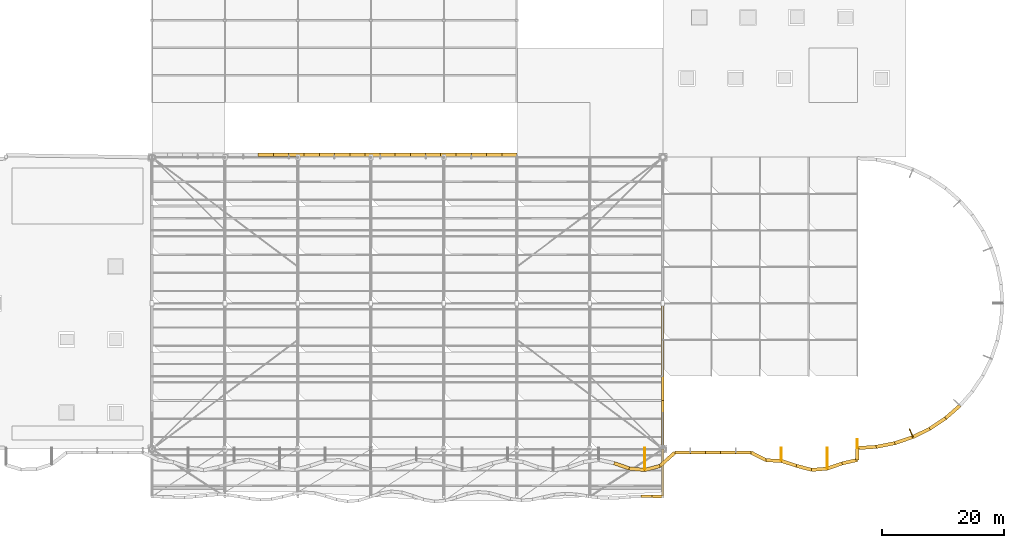
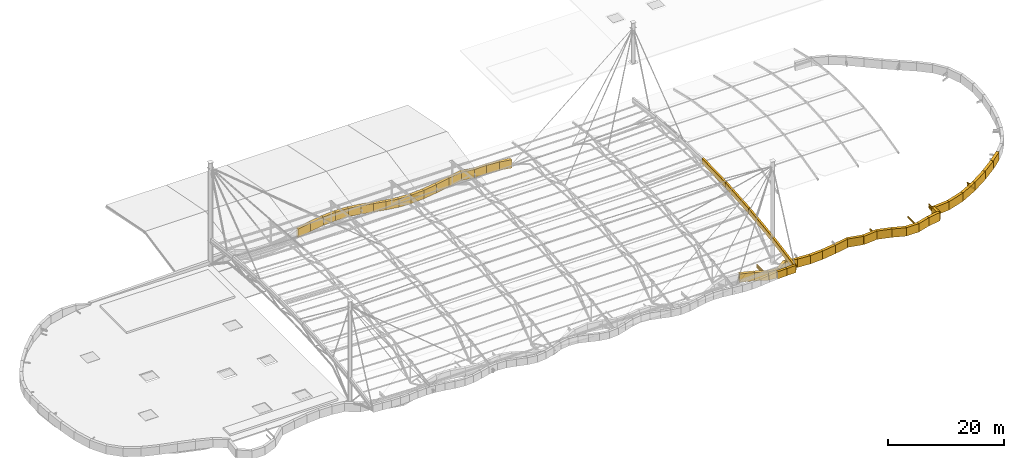
# One storey, part 26 of 29: 54 coverings.
"""IFC4 building model written with IfcOpenShell, lengths in metres."""

from ifc_helpers import new_model, si_unit, direction, frame, frame_2d, origin, place, context, subcontext, project, spatial, polyline, rectangle, outline, extrude, material, layer, layer_set, type_object, element, save


model = new_model("IFC4")

# Units and contexts
model_context = context("Model", 3, precision=1e-05, world=origin(), true_north=direction((0.0, 1.0)))
body_context = subcontext(model_context, "Body", "Model", "MODEL_VIEW")
ifc_project = project(units=[si_unit("LENGTHUNIT", "METRE"), si_unit("AREAUNIT", "SQUARE_METRE"), si_unit("VOLUMEUNIT", "CUBIC_METRE"), si_unit("PLANEANGLEUNIT", "RADIAN"), si_unit("MASSUNIT", "GRAM", prefix="KILO")], contexts=[model_context])

# Site, building, storey
site_placement = place(None, origin())
site = spatial("IfcSite", under=ifc_project, at=site_placement, CompositionType="ELEMENT")
building_placement = place(site_placement, origin())
building = spatial("IfcBuilding", under=site, at=building_placement, Name="Keelwater Ferry Terminal", CompositionType="ELEMENT")
storey_placement = place(building_placement, frame((0.0, 0.0, 27.89990234375)))
storey = spatial("IfcBuildingStorey", under=building, at=storey_placement, Name="RF", CompositionType="ELEMENT", Elevation=27.89990234375)

# Coverings
ifc_material = material(Name="Matte white architectural aluminium fascia ribbon", Category="aluminium")
ifc_layer = layer(ifc_material, 0.1201171875)
ifc_layer_set = layer_set([ifc_layer], Name="Matte white architectural aluminium fascia ribbon")
covering_type = type_object("IfcCoveringType", Name="RB-WHT Matte White Fascia Ribbon", PredefinedType="CLADDING", material=ifc_layer_set)
covering_1_placement = place(storey_placement, frame((108.02490234375, 90.419921875, -13.910888671875), z_axis=(0.0, 0.0, 1.0), x_axis=(-1.0, 0.0, 0.0)))
element("IfcCovering", 1, at=covering_1_placement, inside=storey, type_object=covering_type, Name="Overhanging Roof-Edge Wave Fascia Ribbon 4", PredefinedType="CLADDING", context=body_context, shape_type="SweptSolid", body=[
    extrude(outline(polyline([(0.0, 0.0), (2.5498046875, 0.385009765625), (2.5498046875, 2.135009765625), (0.0, 1.75), (0.0, 0.0)])), frame((0.0, 0.280029296875, 0.0), z_axis=(0.0, -1.0, 0.0), x_axis=(1.0, 0.0, 0.0)), (0.0, 0.0, 1.0), 0.56005859375),
])
covering_2_placement = place(storey_placement, frame((105.52490234375, 90.419921875, -13.52587890625), z_axis=(0.0, 0.0, 1.0), x_axis=(-1.0, 0.0, 0.0)))
element("IfcCovering", 2, at=covering_2_placement, inside=storey, type_object=covering_type, Name="Overhanging Roof-Edge Wave Fascia Ribbon 15", PredefinedType="CLADDING", context=body_context, shape_type="SweptSolid", body=[
    extrude(outline(polyline([(0.0, 0.0), (2.5498046875, 0.199951171875), (2.5498046875, 1.949951171875), (0.0, 1.75), (0.0, 0.0)])), frame((0.0, 0.280029296875, 0.0), z_axis=(0.0, -1.0, 0.0), x_axis=(1.0, 0.0, 0.0)), (0.0, 0.0, 1.0), 0.56005859375),
])
covering_3_placement = place(storey_placement, frame((103.02490234375, 90.419921875, -13.368896484375), z_axis=(0.0, 0.0, 1.0), x_axis=(-1.0, 0.0, 0.0)))
element("IfcCovering", 3, at=covering_3_placement, inside=storey, type_object=covering_type, Name="Overhanging Roof-Edge Wave Fascia Ribbon 19", PredefinedType="CLADDING", context=body_context, shape_type="SweptSolid", body=[
    extrude(outline(polyline([(0.0, 0.04296875), (2.5498046875, 0.0), (2.5498046875, 1.75), (0.0, 1.79296875), (0.0, 0.04296875)])), frame((0.0, 0.280029296875, 0.0), z_axis=(0.0, -1.0, 0.0), x_axis=(1.0, 0.0, 0.0)), (0.0, 0.0, 1.0), 0.56005859375),
])
covering_4_placement = place(storey_placement, frame((100.52490234375, 90.419921875, -13.368896484375), z_axis=(0.0, 0.0, 1.0), x_axis=(-1.0, 0.0, 0.0)))
element("IfcCovering", 4, at=covering_4_placement, inside=storey, type_object=covering_type, Name="Overhanging Roof-Edge Wave Fascia Ribbon 23", PredefinedType="CLADDING", context=body_context, shape_type="SweptSolid", body=[
    extrude(outline(polyline([(0.0, 0.0), (2.5498046875, 0.364990234375), (2.5498046875, 2.114990234375), (0.0, 1.75), (0.0, 0.0)])), frame((0.0, 0.280029296875, 0.0), z_axis=(0.0, -1.0, 0.0), x_axis=(1.0, 0.0, 0.0)), (0.0, 0.0, 1.0), 0.56005859375),
])
covering_5_placement = place(storey_placement, frame((98.02490234375, 90.419921875, -13.427978515625), z_axis=(0.0, 0.0, 1.0), x_axis=(-1.0, 0.0, 0.0)))
element("IfcCovering", 5, at=covering_5_placement, inside=storey, type_object=covering_type, Name="Overhanging Roof-Edge Wave Fascia Ribbon 34", PredefinedType="CLADDING", context=body_context, shape_type="SweptSolid", body=[
    extrude(outline(polyline([(0.0, 0.424072265625), (2.5498046875, 0.0), (2.5498046875, 1.75), (0.0, 2.174072265625), (0.0, 0.424072265625)])), frame((0.0, 0.280029296875, 0.0), z_axis=(0.0, -1.0, 0.0), x_axis=(1.0, 0.0, 0.0)), (0.0, 0.0, 1.0), 0.56005859375),
])
covering_6_placement = place(storey_placement, frame((95.52490234375, 90.419921875, -13.8798828125), z_axis=(0.0, 0.0, 1.0), x_axis=(-1.0, 0.0, 0.0)))
element("IfcCovering", 6, at=covering_6_placement, inside=storey, type_object=covering_type, Name="Overhanging Roof-Edge Wave Fascia Ribbon 38", PredefinedType="CLADDING", context=body_context, shape_type="SweptSolid", body=[
    extrude(outline(polyline([(0.0, 0.451904296875), (2.5498046875, 0.0), (2.5498046875, 1.75), (0.0, 2.201904296875), (0.0, 0.451904296875)])), frame((0.0, 0.280029296875, 0.0), z_axis=(0.0, -1.0, 0.0), x_axis=(1.0, 0.0, 0.0)), (0.0, 0.0, 1.0), 0.56005859375),
])
covering_7_placement = place(storey_placement, frame((93.02490234375, 90.419921875, -14.22900390625), z_axis=(0.0, 0.0, 1.0), x_axis=(-1.0, 0.0, 0.0)))
element("IfcCovering", 7, at=covering_7_placement, inside=storey, type_object=covering_type, Name="Overhanging Roof-Edge Wave Fascia Ribbon 42", PredefinedType="CLADDING", context=body_context, shape_type="SweptSolid", body=[
    extrude(outline(polyline([(0.0, 0.34912109375), (2.5498046875, 0.0), (2.5498046875, 1.75), (0.0, 2.09912109375), (0.0, 0.34912109375)])), frame((0.0, 0.280029296875, 0.0), z_axis=(0.0, -1.0, 0.0), x_axis=(1.0, 0.0, 0.0)), (0.0, 0.0, 1.0), 0.56005859375),
])
covering_8_placement = place(storey_placement, frame((90.52490234375, 90.419921875, -14.3740234375), z_axis=(0.0, 0.0, 1.0), x_axis=(-1.0, 0.0, 0.0)))
element("IfcCovering", 8, at=covering_8_placement, inside=storey, type_object=covering_type, Name="Overhanging Roof-Edge Wave Fascia Ribbon 53", PredefinedType="CLADDING", context=body_context, shape_type="SweptSolid", body=[
    extrude(outline(polyline([(0.0, 0.14501953125), (2.5498046875, 0.0), (2.5498046875, 1.75), (0.0, 1.89501953125), (0.0, 0.14501953125)])), frame((0.0, 0.280029296875, 0.0), z_axis=(0.0, -1.0, 0.0), x_axis=(1.0, 0.0, 0.0)), (0.0, 0.0, 1.0), 0.56005859375),
])
covering_9_placement = place(storey_placement, frame((88.02490234375, 90.419921875, -14.3740234375), z_axis=(0.0, 0.0, 1.0), x_axis=(-1.0, 0.0, 0.0)))
element("IfcCovering", 9, at=covering_9_placement, inside=storey, type_object=covering_type, Name="Overhanging Roof-Edge Wave Fascia Ribbon 57", PredefinedType="CLADDING", context=body_context, shape_type="SweptSolid", body=[
    extrude(outline(polyline([(0.0, 0.0), (2.5498046875, 0.10205078125), (2.5498046875, 1.85205078125), (0.0, 1.75), (0.0, 0.0)])), frame((0.0, 0.280029296875, 0.0), z_axis=(0.0, -1.0, 0.0), x_axis=(1.0, 0.0, 0.0)), (0.0, 0.0, 1.0), 0.56005859375),
])
covering_10_placement = place(storey_placement, frame((85.52490234375, 90.419921875, -14.27197265625), z_axis=(0.0, 0.0, 1.0), x_axis=(-1.0, 0.0, 0.0)))
element("IfcCovering", 10, at=covering_10_placement, inside=storey, type_object=covering_type, Name="Overhanging Roof-Edge Wave Fascia Ribbon 61", PredefinedType="CLADDING", context=body_context, shape_type="SweptSolid", body=[
    extrude(outline(polyline([(0.0, 0.0), (2.5498046875, 0.318115234375), (2.5498046875, 2.068115234375), (0.0, 1.75), (0.0, 0.0)])), frame((0.0, 0.280029296875, 0.0), z_axis=(0.0, -1.0, 0.0), x_axis=(1.0, 0.0, 0.0)), (0.0, 0.0, 1.0), 0.56005859375),
])
covering_11_placement = place(storey_placement, frame((83.02490234375, 90.419921875, -13.953857421875), z_axis=(0.0, 0.0, 1.0), x_axis=(-1.0, 0.0, 0.0)))
element("IfcCovering", 11, at=covering_11_placement, inside=storey, type_object=covering_type, Name="Overhanging Roof-Edge Wave Fascia Ribbon 73", PredefinedType="CLADDING", context=body_context, shape_type="SweptSolid", body=[
    extrude(outline(polyline([(0.0, 0.0), (2.5498046875, 0.44287109375), (2.5498046875, 2.19287109375), (0.0, 1.75), (0.0, 0.0)])), frame((0.0, 0.280029296875, 0.0), z_axis=(0.0, -1.0, 0.0), x_axis=(1.0, 0.0, 0.0)), (0.0, 0.0, 1.0), 0.56005859375),
])
covering_12_placement = place(storey_placement, frame((80.52490234375, 90.419921875, -13.510986328125), z_axis=(0.0, 0.0, 1.0), x_axis=(-1.0, 0.0, 0.0)))
element("IfcCovering", 12, at=covering_12_placement, inside=storey, type_object=covering_type, Name="Overhanging Roof-Edge Wave Fascia Ribbon 76", PredefinedType="CLADDING", context=body_context, shape_type="SweptSolid", body=[
    extrude(outline(polyline([(0.0, 0.0), (2.5498046875, 0.43896484375), (2.5498046875, 2.18896484375), (0.0, 1.75), (0.0, 0.0)])), frame((0.0, 0.280029296875, 0.0), z_axis=(0.0, -1.0, 0.0), x_axis=(1.0, 0.0, 0.0)), (0.0, 0.0, 1.0), 0.56005859375),
])
covering_13_placement = place(storey_placement, frame((78.02490234375, 90.419921875, -13.072021484375), z_axis=(0.0, 0.0, 1.0), x_axis=(-1.0, 0.0, 0.0)))
element("IfcCovering", 13, at=covering_13_placement, inside=storey, type_object=covering_type, Name="Overhanging Roof-Edge Wave Fascia Ribbon 79", PredefinedType="CLADDING", context=body_context, shape_type="SweptSolid", body=[
    extrude(outline(polyline([(0.0, 0.0), (2.5498046875, 0.30712890625), (2.5498046875, 2.05712890625), (0.0, 1.75), (0.0, 0.0)])), frame((0.0, 0.280029296875, 0.0), z_axis=(0.0, -1.0, 0.0), x_axis=(1.0, 0.0, 0.0)), (0.0, 0.0, 1.0), 0.56005859375),
])
covering_14_placement = place(storey_placement, frame((75.52490234375, 90.419921875, -12.764892578125), z_axis=(0.0, 0.0, 1.0), x_axis=(-1.0, 0.0, 0.0)))
element("IfcCovering", 14, at=covering_14_placement, inside=storey, type_object=covering_type, Name="Overhanging Roof-Edge Wave Fascia Ribbon 91", PredefinedType="CLADDING", context=body_context, shape_type="SweptSolid", body=[
    extrude(outline(polyline([(0.0, 0.0), (2.5498046875, 0.0869140625), (2.5498046875, 1.8369140625), (0.0, 1.75), (0.0, 0.0)])), frame((0.0, 0.280029296875, 0.0), z_axis=(0.0, -1.0, 0.0), x_axis=(1.0, 0.0, 0.0)), (0.0, 0.0, 1.0), 0.56005859375),
])
covering_15_placement = place(storey_placement, frame((73.02490234375, 90.419921875, -12.8369140625), z_axis=(0.0, 0.0, 1.0), x_axis=(-1.0, 0.0, 0.0)))
element("IfcCovering", 15, at=covering_15_placement, inside=storey, type_object=covering_type, Name="Overhanging Roof-Edge Wave Fascia Ribbon 95", PredefinedType="CLADDING", context=body_context, shape_type="SweptSolid", body=[
    extrude(outline(polyline([(0.0, 0.158935546875), (2.5498046875, 0.0), (2.5498046875, 1.75), (0.0, 1.908935546875), (0.0, 0.158935546875)])), frame((0.0, 0.280029296875, 0.0), z_axis=(0.0, -1.0, 0.0), x_axis=(1.0, 0.0, 0.0)), (0.0, 0.0, 1.0), 0.56005859375),
])
covering_16_placement = place(storey_placement, frame((70.52490234375, 90.419921875, -13.19482421875), z_axis=(0.0, 0.0, 1.0), x_axis=(-1.0, 0.0, 0.0)))
element("IfcCovering", 16, at=covering_16_placement, inside=storey, type_object=covering_type, Name="Overhanging Roof-Edge Wave Fascia Ribbon 99", PredefinedType="CLADDING", context=body_context, shape_type="SweptSolid", body=[
    extrude(outline(polyline([(0.0, 0.35791015625), (2.5498046875, 0.0), (2.5498046875, 1.75), (0.0, 2.10791015625), (0.0, 0.35791015625)])), frame((0.0, 0.280029296875, 0.0), z_axis=(0.0, -1.0, 0.0), x_axis=(1.0, 0.0, 0.0)), (0.0, 0.0, 1.0), 0.56005859375),
])
covering_17_placement = place(storey_placement, frame((68.02490234375, 90.419921875, -13.64990234375), z_axis=(0.0, 0.0, 1.0), x_axis=(-1.0, 0.0, 0.0)))
element("IfcCovering", 17, at=covering_17_placement, inside=storey, type_object=covering_type, Name="Overhanging Roof-Edge Wave Fascia Ribbon 110", PredefinedType="CLADDING", context=body_context, shape_type="SweptSolid", body=[
    extrude(outline(polyline([(0.0, 0.455078125), (2.5498046875, 0.0), (2.5498046875, 1.75), (0.0, 2.205078125), (0.0, 0.455078125)])), frame((0.0, 0.280029296875, 0.0), z_axis=(0.0, -1.0, 0.0), x_axis=(1.0, 0.0, 0.0)), (0.0, 0.0, 1.0), 0.56005859375),
])
covering_18_placement = place(storey_placement, frame((123.97607421875, 39.698974609375, -12.77880859375), z_axis=(0.0, 0.0, 1.0), x_axis=(0.945110901935, -0.326749725391, 0.0)))
element("IfcCovering", 18, at=covering_18_placement, inside=storey, type_object=covering_type, Name="Overhanging Roof-Edge Wave Fascia Ribbon 537", PredefinedType="CLADDING", context=body_context, shape_type="SweptSolid", body=[
    extrude(outline(polyline([(0.0, 0.031005859375), (2.69580078125, 0.0), (2.69580078125, 1.75), (0.0, 1.781005859375), (0.0, 0.031005859375)])), frame((0.0, 0.280029296875, 0.0), z_axis=(0.0, -1.0, 0.0), x_axis=(1.0, 0.0, 0.0)), (0.0, 0.0, 1.0), 0.56005859375),
])
covering_19_placement = place(storey_placement, frame((126.47509765625, 38.827880859375, -13.39892578125), z_axis=(0.0, 0.0, 1.0), x_axis=(0.995190712751, -0.097956343614, 0.0)))
element("IfcCovering", 19, at=covering_19_placement, inside=storey, type_object=covering_type, Name="Overhanging Roof-Edge Wave Fascia Ribbon 541", PredefinedType="CLADDING", context=body_context, shape_type="SweptSolid", body=[
    extrude(outline(polyline([(0.0, 0.6201171875), (2.56201171875, 0.0), (2.56201171875, 1.75), (0.0, 2.3701171875), (0.0, 0.6201171875)])), frame((0.0, 0.280029296875, 0.0), z_axis=(0.0, -1.0, 0.0), x_axis=(1.0, 0.0, 0.0)), (0.0, 0.0, 1.0), 0.56005859375),
])
covering_20_placement = place(storey_placement, frame((128.97607421875, 38.572998046875, -14.114013671875), z_axis=(0.0, 0.0, 1.0), x_axis=(0.969062454422, 0.246815638545, 0.0)))
element("IfcCovering", 20, at=covering_20_placement, inside=storey, type_object=covering_type, Name="Overhanging Roof-Edge Wave Fascia Ribbon 545", PredefinedType="CLADDING", context=body_context, shape_type="SweptSolid", body=[
    extrude(outline(polyline([(0.0, 0.715087890625), (2.629150390625, 0.0), (2.629150390625, 1.75), (0.0, 2.465087890625), (0.0, 0.715087890625)])), frame((0.0, 0.280029296875, 0.0), z_axis=(0.0, -1.0, 0.0), x_axis=(1.0, 0.0, 0.0)), (0.0, 0.0, 1.0), 0.56005859375),
])
covering_21_placement = place(storey_placement, frame((129.0, 38.5791015625, -12.663818359375), z_axis=(0.0, 0.0, 1.0), x_axis=(0.0, 1.0, 0.0)))
element("IfcCovering", 21, at=covering_21_placement, inside=storey, type_object=covering_type, Name="Ribbon Horizontal Tie Bracket 549", PredefinedType="CLADDING", context=body_context, shape_type="SweptSolid", body=[
    extrude(rectangle(XDim=3.6708984375, YDim=0.159912109375, at=frame_2d((1.83544921875, 0.0))), origin(), (0.0, 0.0, 1.0), 0.280029296875),
])
covering_22_placement = place(storey_placement, frame((129.0, 38.5791015625, -13.119873046875), z_axis=(0.0, 0.0, 1.0), x_axis=(0.0, 1.0, 0.0)))
element("IfcCovering", 22, at=covering_22_placement, inside=storey, type_object=covering_type, Name="Ribbon Roof Eave Tie Bracket 552", PredefinedType="CLADDING", context=body_context, shape_type="SweptSolid", body=[
    extrude(rectangle(XDim=3.6708984375, YDim=0.159912109375, at=frame_2d((1.83544921875, 0.0))), origin(), (0.0, 0.0, 1.0), 0.340087890625),
])
covering_23_placement = place(storey_placement, frame((131.48095703125, 39.198974609375, -14.73095703125), z_axis=(0.0, 0.0, 1.0), x_axis=(0.745657617086, 0.666329286526, 0.0)))
element("IfcCovering", 23, at=covering_23_placement, inside=storey, type_object=covering_type, Name="Overhanging Roof-Edge Wave Fascia Ribbon 555", PredefinedType="CLADDING", context=body_context, shape_type="SweptSolid", body=[
    extrude(outline(polyline([(0.0, 0.616943359375), (3.40380859375, 0.0), (3.40380859375, 1.75), (0.0, 2.366943359375), (0.0, 0.616943359375)])), frame((0.0, 0.280029296875, 0.0), z_axis=(0.0, -1.0, 0.0), x_axis=(1.0, 0.0, 0.0)), (0.0, 0.0, 1.0), 0.56005859375),
])
covering_24_placement = place(storey_placement, frame((133.97509765625, 41.449951171875, -15.079833984375), z_axis=(0.0, 0.0, 1.0), x_axis=(1.0, 0.0, 0.0)))
element("IfcCovering", 24, at=covering_24_placement, inside=storey, type_object=covering_type, Name="Overhanging Roof-Edge Wave Fascia Ribbon 557", PredefinedType="CLADDING", context=body_context, shape_type="SweptSolid", body=[
    extrude(outline(polyline([(0.0, 0.348876953125), (2.5498046875, 0.0), (2.5498046875, 1.75), (0.0, 2.098876953125), (0.0, 0.348876953125)])), frame((0.0, 0.280029296875, 0.0), z_axis=(0.0, -1.0, 0.0), x_axis=(1.0, 0.0, 0.0)), (0.0, 0.0, 1.0), 0.56005859375),
])
covering_25_placement = place(storey_placement, frame((136.47509765625, 41.449951171875, -15.223876953125), z_axis=(0.0, 0.0, 1.0), x_axis=(1.0, 0.0, 0.0)))
element("IfcCovering", 25, at=covering_25_placement, inside=storey, type_object=covering_type, Name="Overhanging Roof-Edge Wave Fascia Ribbon 559", PredefinedType="CLADDING", context=body_context, shape_type="SweptSolid", body=[
    extrude(outline(polyline([(0.0, 0.14404296875), (2.5498046875, 0.0), (2.5498046875, 1.75), (0.0, 1.89404296875), (0.0, 0.14404296875)])), frame((0.0, 0.280029296875, 0.0), z_axis=(0.0, -1.0, 0.0), x_axis=(1.0, 0.0, 0.0)), (0.0, 0.0, 1.0), 0.56005859375),
])
covering_26_placement = place(storey_placement, frame((138.97509765625, 41.449951171875, -15.223876953125), z_axis=(0.0, 0.0, 1.0), x_axis=(1.0, 0.0, 0.0)))
element("IfcCovering", 26, at=covering_26_placement, inside=storey, type_object=covering_type, Name="Overhanging Roof-Edge Wave Fascia Ribbon 566", PredefinedType="CLADDING", context=body_context, shape_type="SweptSolid", body=[
    extrude(outline(polyline([(0.0, 0.0), (2.5498046875, 0.10205078125), (2.5498046875, 1.85205078125), (0.0, 1.75), (0.0, 0.0)])), frame((0.0, 0.280029296875, 0.0), z_axis=(0.0, -1.0, 0.0), x_axis=(1.0, 0.0, 0.0)), (0.0, 0.0, 1.0), 0.56005859375),
])
covering_27_placement = place(storey_placement, frame((141.47509765625, 41.449951171875, -15.121826171875), z_axis=(0.0, 0.0, 1.0), x_axis=(1.0, 0.0, 0.0)))
element("IfcCovering", 27, at=covering_27_placement, inside=storey, type_object=covering_type, Name="Overhanging Roof-Edge Wave Fascia Ribbon 568", PredefinedType="CLADDING", context=body_context, shape_type="SweptSolid", body=[
    extrude(outline(polyline([(0.0, 0.0), (2.5498046875, 0.31884765625), (2.5498046875, 2.06884765625), (0.0, 1.75), (0.0, 0.0)])), frame((0.0, 0.280029296875, 0.0), z_axis=(0.0, -1.0, 0.0), x_axis=(1.0, 0.0, 0.0)), (0.0, 0.0, 1.0), 0.56005859375),
])
covering_28_placement = place(storey_placement, frame((143.97509765625, 41.449951171875, -14.802978515625), z_axis=(0.0, 0.0, 1.0), x_axis=(1.0, 0.0, 0.0)))
element("IfcCovering", 28, at=covering_28_placement, inside=storey, type_object=covering_type, Name="Overhanging Roof-Edge Wave Fascia Ribbon 570", PredefinedType="CLADDING", context=body_context, shape_type="SweptSolid", body=[
    extrude(outline(polyline([(0.0, 0.0), (2.5498046875, 0.443115234375), (2.5498046875, 2.193115234375), (0.0, 1.75), (0.0, 0.0)])), frame((0.0, 0.280029296875, 0.0), z_axis=(0.0, -1.0, 0.0), x_axis=(1.0, 0.0, 0.0)), (0.0, 0.0, 1.0), 0.56005859375),
])
covering_29_placement = place(storey_placement, frame((146.47802734375, 41.4609375, -14.35986328125), z_axis=(0.0, 0.0, 1.0), x_axis=(0.89018451177, -0.45560019206, 0.0)))
element("IfcCovering", 29, at=covering_29_placement, inside=storey, type_object=covering_type, Name="Overhanging Roof-Edge Wave Fascia Ribbon 577", PredefinedType="CLADDING", context=body_context, shape_type="SweptSolid", body=[
    extrude(outline(polyline([(0.0, 0.0), (2.857666015625, 0.48583984375), (2.857666015625, 2.23583984375), (0.0, 1.75), (0.0, 0.0)])), frame((0.0, 0.280029296875, 0.0), z_axis=(0.0, -1.0, 0.0), x_axis=(1.0, 0.0, 0.0)), (0.0, 0.0, 1.0), 0.56005859375),
])
covering_30_placement = place(storey_placement, frame((148.97509765625, 40.1708984375, -13.8740234375), z_axis=(0.0, 0.0, 1.0), x_axis=(0.999263716325, -0.038366981065, 0.0)))
element("IfcCovering", 30, at=covering_30_placement, inside=storey, type_object=covering_type, Name="Overhanging Roof-Edge Wave Fascia Ribbon 581", PredefinedType="CLADDING", context=body_context, shape_type="SweptSolid", body=[
    extrude(outline(polyline([(0.0, 0.0), (2.5517578125, 0.2841796875), (2.5517578125, 2.0341796875), (0.0, 1.75), (0.0, 0.0)])), frame((0.0, 0.280029296875, 0.0), z_axis=(0.0, -1.0, 0.0), x_axis=(1.0, 0.0, 0.0)), (0.0, 0.0, 1.0), 0.56005859375),
])
covering_31_placement = place(storey_placement, frame((151.47607421875, 40.08203125, -13.58984375), z_axis=(0.0, 0.0, 1.0), x_axis=(0.949922945862, -0.312484234682, 0.0)))
element("IfcCovering", 31, at=covering_31_placement, inside=storey, type_object=covering_type, Name="Overhanging Roof-Edge Wave Fascia Ribbon 585", PredefinedType="CLADDING", context=body_context, shape_type="SweptSolid", body=[
    extrude(outline(polyline([(0.0, 0.0), (2.68212890625, 0.051025390625), (2.68212890625, 1.801025390625), (0.0, 1.75), (0.0, 0.0)])), frame((0.0, 0.280029296875, 0.0), z_axis=(0.0, -1.0, 0.0), x_axis=(1.0, 0.0, 0.0)), (0.0, 0.0, 1.0), 0.56005859375),
])
covering_32_placement = place(storey_placement, frame((151.5, 40.073974609375, -13.119873046875), z_axis=(0.0, 0.0, 1.0), x_axis=(0.0, 1.0, 0.0)))
element("IfcCovering", 32, at=covering_32_placement, inside=storey, type_object=covering_type, Name="Ribbon Roof Eave Tie Bracket 591", PredefinedType="CLADDING", context=body_context, shape_type="SweptSolid", body=[
    extrude(rectangle(XDim=2.176025390625, YDim=0.159912109375, at=frame_2d((1.087890625, 0.0))), origin(), (0.0, 0.0, 1.0), 0.340087890625),
])
covering_33_placement = place(storey_placement, frame((153.97607421875, 39.258056640625, -13.742919921875), z_axis=(0.0, 0.0, 1.0), x_axis=(0.966647246159, -0.256111502073, 0.0)))
element("IfcCovering", 33, at=covering_33_placement, inside=storey, type_object=covering_type, Name="Overhanging Roof-Edge Wave Fascia Ribbon 596", PredefinedType="CLADDING", context=body_context, shape_type="SweptSolid", body=[
    extrude(outline(polyline([(0.0, 0.2041015625), (2.6357421875, 0.0), (2.6357421875, 1.75), (0.0, 1.9541015625), (0.0, 0.2041015625)])), frame((0.0, 0.280029296875, 0.0), z_axis=(0.0, -1.0, 0.0), x_axis=(1.0, 0.0, 0.0)), (0.0, 0.0, 1.0), 0.56005859375),
])
covering_34_placement = place(storey_placement, frame((156.47509765625, 38.5869140625, -13.927978515625), z_axis=(0.0, 0.0, 1.0), x_axis=(0.9964929164, 0.083677162743, 0.0)))
element("IfcCovering", 34, at=covering_34_placement, inside=storey, type_object=covering_type, Name="Overhanging Roof-Edge Wave Fascia Ribbon 600", PredefinedType="CLADDING", context=body_context, shape_type="SweptSolid", body=[
    extrude(outline(polyline([(0.0, 0.18505859375), (2.558837890625, 0.0), (2.558837890625, 1.75), (0.0, 1.93505859375), (0.0, 0.18505859375)])), frame((0.0, 0.280029296875, 0.0), z_axis=(0.0, -1.0, 0.0), x_axis=(1.0, 0.0, 0.0)), (0.0, 0.0, 1.0), 0.56005859375),
])
covering_35_placement = place(storey_placement, frame((158.97607421875, 38.791015625, -14.052978515625), z_axis=(0.0, 0.0, 1.0), x_axis=(0.946003140815, 0.324157457987, 0.0)))
element("IfcCovering", 35, at=covering_35_placement, inside=storey, type_object=covering_type, Name="Overhanging Roof-Edge Wave Fascia Ribbon 602", PredefinedType="CLADDING", context=body_context, shape_type="SweptSolid", body=[
    extrude(outline(polyline([(0.0, 0.125), (2.693359375, 0.0), (2.693359375, 1.75), (0.0, 1.875), (0.0, 0.125)])), frame((0.0, 0.280029296875, 0.0), z_axis=(0.0, -1.0, 0.0), x_axis=(1.0, 0.0, 0.0)), (0.0, 0.0, 1.0), 0.56005859375),
])
covering_36_placement = place(storey_placement, frame((159.0, 38.799072265625, -13.119873046875), z_axis=(0.0, 0.0, 1.0), x_axis=(0.0, 1.0, 0.0)))
element("IfcCovering", 36, at=covering_36_placement, inside=storey, type_object=covering_type, Name="Ribbon Roof Eave Tie Bracket 607", PredefinedType="CLADDING", context=body_context, shape_type="SweptSolid", body=[
    extrude(rectangle(XDim=3.450927734375, YDim=0.159912109375, at=frame_2d((1.7255859375, 0.0))), origin(), (0.0, 0.0, 1.0), 0.340087890625),
])
covering_37_placement = place(storey_placement, frame((161.47607421875, 39.64990234375, -14.19287109375), z_axis=(0.0, 0.0, 1.0), x_axis=(0.973966350755, 0.226692628017, 0.0)))
element("IfcCovering", 37, at=covering_37_placement, inside=storey, type_object=covering_type, Name="Overhanging Roof-Edge Wave Fascia Ribbon 612", PredefinedType="CLADDING", context=body_context, shape_type="SweptSolid", body=[
    extrude(outline(polyline([(0.0, 0.139892578125), (2.615966796875, 0.0), (2.615966796875, 1.75), (0.0, 1.889892578125), (0.0, 0.139892578125)])), frame((0.0, 0.280029296875, 0.0), z_axis=(0.0, -1.0, 0.0), x_axis=(1.0, 0.0, 0.0)), (0.0, 0.0, 1.0), 0.56005859375),
])
covering_38_placement = place(storey_placement, frame((164.0, 40.2119140625, -14.364990234375), z_axis=(0.0, 0.0, 1.0), x_axis=(0.0, 1.0, 0.0)))
element("IfcCovering", 38, at=covering_38_placement, inside=storey, type_object=covering_type, Name="Overhanging Roof-Edge Wave Fascia Ribbon 616", PredefinedType="CLADDING", context=body_context, shape_type="SweptSolid", body=[
    extrude(outline(polyline([(0.0, 0.172119140625), (1.9931640625, 0.0), (1.9931640625, 1.75), (0.0, 1.922119140625), (0.0, 0.172119140625)])), frame((0.0, 0.280029296875, 0.0), z_axis=(0.0, -1.0, 0.0), x_axis=(1.0, 0.0, 0.0)), (0.0, 0.0, 1.0), 0.56005859375),
])
covering_39_placement = place(storey_placement, frame((163.97509765625, 42.177978515625, -14.364990234375), z_axis=(0.0, 0.0, 1.0), x_axis=(0.997839082041, 0.065705147067, 0.0)))
element("IfcCovering", 39, at=covering_39_placement, inside=storey, type_object=covering_type, Name="Overhanging Roof-Edge Wave Fascia Ribbon 620", PredefinedType="CLADDING", context=body_context, shape_type="SweptSolid", body=[
    extrude(outline(polyline([(0.0, 0.0), (3.165771484375, 0.05419921875), (3.165771484375, 1.80419921875), (0.0, 1.75), (0.0, 0.0)])), frame((0.0, 0.280029296875, 0.0), z_axis=(0.0, -1.0, 0.0), x_axis=(1.0, 0.0, 0.0)), (0.0, 0.0, 1.0), 0.56005859375),
])
covering_40_placement = place(storey_placement, frame((164.0, 42.179931640625, -13.6298828125), z_axis=(0.0, 0.0, 1.0), x_axis=(0.0, 1.0, 0.0)))
element("IfcCovering", 40, at=covering_40_placement, inside=storey, type_object=covering_type, Name="Ribbon Horizontal Tie Bracket 624", PredefinedType="CLADDING", context=body_context, shape_type="SweptSolid", body=[
    extrude(rectangle(XDim=1.449951171875, YDim=0.159912109375, at=frame_2d((0.72509765625, 0.0))), origin(), (0.0, 0.0, 1.0), 0.280029296875),
])
covering_41_placement = place(storey_placement, frame((164.0, 42.179931640625, -13.119873046875), z_axis=(0.0, 0.0, 1.0), x_axis=(0.0, 1.0, 0.0)))
element("IfcCovering", 41, at=covering_41_placement, inside=storey, type_object=covering_type, Name="Ribbon Roof Eave Tie Bracket 627", PredefinedType="CLADDING", context=body_context, shape_type="SweptSolid", body=[
    extrude(rectangle(XDim=1.449951171875, YDim=0.159912109375, at=frame_2d((0.72509765625, 0.0))), origin(), (0.0, 0.0, 1.0), 0.340087890625),
])
covering_42_placement = place(storey_placement, frame((167.083984375, 42.37890625, -14.310791015625), z_axis=(0.0, 0.0, 1.0), x_axis=(0.98076407959, 0.195196875454, 0.0)))
element("IfcCovering", 42, at=covering_42_placement, inside=storey, type_object=covering_type, Name="Overhanging Roof-Edge Wave Fascia Ribbon 632", PredefinedType="CLADDING", context=body_context, shape_type="SweptSolid", body=[
    extrude(outline(polyline([(0.0, 0.0), (3.1669921875, 0.3779296875), (3.1669921875, 2.1279296875), (0.0, 1.75), (0.0, 0.0)])), frame((0.0, 0.280029296875, 0.0), z_axis=(0.0, -1.0, 0.0), x_axis=(1.0, 0.0, 0.0)), (0.0, 0.0, 1.0), 0.56005859375),
])
covering_43_placement = place(storey_placement, frame((170.14111328125, 42.98388671875, -13.932861328125), z_axis=(0.0, 0.0, 1.0), x_axis=(0.94701262585, 0.321196336342, 0.0)))
element("IfcCovering", 43, at=covering_43_placement, inside=storey, type_object=covering_type, Name="Overhanging Roof-Edge Wave Fascia Ribbon 636", PredefinedType="CLADDING", context=body_context, shape_type="SweptSolid", body=[
    extrude(outline(polyline([(0.0, 0.0), (3.16650390625, 0.558837890625), (3.16650390625, 2.308837890625), (0.0, 1.75), (0.0, 0.0)])), frame((0.0, 0.280029296875, 0.0), z_axis=(0.0, -1.0, 0.0), x_axis=(1.0, 0.0, 0.0)), (0.0, 0.0, 1.0), 0.56005859375),
])
covering_44_placement = place(storey_placement, frame((173.093994140625, 43.98193359375, -13.3740234375), z_axis=(0.0, 0.0, 1.0), x_axis=(0.896790782987, 0.442454846905, 0.0)))
element("IfcCovering", 44, at=covering_44_placement, inside=storey, type_object=covering_type, Name="Overhanging Roof-Edge Wave Fascia Ribbon 640", PredefinedType="CLADDING", context=body_context, shape_type="SweptSolid", body=[
    extrude(outline(polyline([(0.0, 0.0), (3.16455078125, 0.4921875), (3.16455078125, 2.2421875), (0.0, 1.75), (0.0, 0.0)])), frame((0.0, 0.280029296875, 0.0), z_axis=(0.0, -1.0, 0.0), x_axis=(1.0, 0.0, 0.0)), (0.0, 0.0, 1.0), 0.56005859375),
])
covering_45_placement = place(storey_placement, frame((173.115966796875, 43.992919921875, -12.638916015625), z_axis=(0.0, 0.0, 1.0), x_axis=(-0.382594606681, 0.923916320312, 0.0)))
element("IfcCovering", 45, at=covering_45_placement, inside=storey, type_object=covering_type, Name="Ribbon Horizontal Tie Bracket 644", PredefinedType="CLADDING", context=body_context, shape_type="SweptSolid", body=[
    extrude(rectangle(XDim=1.450439453125, YDim=0.159912109375, at=frame_2d((0.72509765625, 0.0))), origin(), (0.0, 0.0, 1.0), 0.280029296875),
])
covering_46_placement = place(storey_placement, frame((173.115966796875, 43.992919921875, -13.119873046875), z_axis=(0.0, 0.0, 1.0), x_axis=(-0.382594606681, 0.923916320312, 0.0)))
element("IfcCovering", 46, at=covering_46_placement, inside=storey, type_object=covering_type, Name="Ribbon Roof Eave Tie Bracket 647", PredefinedType="CLADDING", context=body_context, shape_type="SweptSolid", body=[
    extrude(rectangle(XDim=1.450439453125, YDim=0.159912109375, at=frame_2d((0.72509765625, 0.0))), origin(), (0.0, 0.0, 1.0), 0.340087890625),
])
covering_47_placement = place(storey_placement, frame((175.888916015625, 45.35693359375, -12.8818359375), z_axis=(0.0, 0.0, 1.0), x_axis=(0.831516144614, 0.55550058618, 0.0)))
element("IfcCovering", 47, at=covering_47_placement, inside=storey, type_object=covering_type, Name="Overhanging Roof-Edge Wave Fascia Ribbon 652", PredefinedType="CLADDING", context=body_context, shape_type="SweptSolid", body=[
    extrude(outline(polyline([(0.0, 0.0), (3.16650390625, 0.20703125), (3.16650390625, 1.95703125), (0.0, 1.75), (0.0, 0.0)])), frame((0.0, 0.280029296875, 0.0), z_axis=(0.0, -1.0, 0.0), x_axis=(1.0, 0.0, 0.0)), (0.0, 0.0, 1.0), 0.56005859375),
])
covering_48_placement = place(storey_placement, frame((178.48193359375, 47.0859375, -12.846923828125), z_axis=(0.0, 0.0, 1.0), x_axis=(0.75186441018, 0.65931776004, 0.0)))
element("IfcCovering", 48, at=covering_48_placement, inside=storey, type_object=covering_type, Name="Overhanging Roof-Edge Wave Fascia Ribbon 656", PredefinedType="CLADDING", context=body_context, shape_type="SweptSolid", body=[
    extrude(outline(polyline([(0.0, 0.172119140625), (3.16552734375, 0.0), (3.16552734375, 1.75), (0.0, 1.922119140625), (0.0, 0.172119140625)])), frame((0.0, 0.280029296875, 0.0), z_axis=(0.0, -1.0, 0.0), x_axis=(1.0, 0.0, 0.0)), (0.0, 0.0, 1.0), 0.56005859375),
])
covering_49_placement = place(storey_placement, frame((128.40087890625, 34.258056640625, -10.33984375), z_axis=(0.0, 0.0, 1.0), x_axis=(0.999998507746, -0.001727572173, 0.0)))
element("IfcCovering", 49, at=covering_49_placement, inside=storey, type_object=covering_type, Name="Concourse Saddle Overhanging Wave Eave Ribbon 816", PredefinedType="CLADDING", context=body_context, shape_type="SweptSolid", body=[
    extrude(outline(polyline([(0.0, 0.0), (1.837158203125, 0.06591796875), (1.837158203125, 1.56591796875), (0.0, 1.5), (0.0, 0.0)])), frame((0.0, 0.239990234375, 0.0), z_axis=(0.0, -1.0, 0.0), x_axis=(1.0, 0.0, 0.0)), (0.0, 0.0, 1.0), 0.47998046875),
])
covering_50_placement = place(storey_placement, frame((130.18798828125, 34.256103515625, -10.27392578125), z_axis=(0.0, 0.0, 1.0), x_axis=(0.999516730669, -0.031085448561, 0.0)))
element("IfcCovering", 50, at=covering_50_placement, inside=storey, type_object=covering_type, Name="Concourse Saddle Overhanging Wave Eave Ribbon 817", PredefinedType="CLADDING", context=body_context, shape_type="SweptSolid", body=[
    extrude(outline(polyline([(0.0, 0.0), (1.837890625, 0.075927734375), (1.837890625, 1.575927734375), (0.0, 1.5), (0.0, 0.0)])), frame((0.0, 0.239990234375, 0.0), z_axis=(0.0, -1.0, 0.0), x_axis=(1.0, 0.0, 0.0)), (0.0, 0.0, 1.0), 0.47998046875),
])
covering_51_placement = place(storey_placement, frame((132.0, 34.175048828125, -9.89794921875), z_axis=(0.0, 0.0, 1.0), x_axis=(0.0, 1.0, 0.0)))
element("IfcCovering", 51, at=covering_51_placement, inside=storey, type_object=covering_type, Name="Concourse Saddle Arch Verge Ribbon 825", PredefinedType="CLADDING", context=body_context, shape_type="SweptSolid", body=[
    extrude(outline(polyline([(0.0, 0.0), (7.849853515625, 1.39794921875), (7.849853515625, 2.498046875), (0.0, 1.10009765625), (0.0, 0.0)])), frame((0.0, 0.18994140625, 0.0), z_axis=(0.0, -1.0, 0.0), x_axis=(1.0, 0.0, 0.0)), (0.0, 0.0, 1.0), 0.3798828125),
])
covering_52_placement = place(storey_placement, frame((132.0, 41.97509765625, -8.5), z_axis=(0.0, 0.0, 1.0), x_axis=(0.0, 1.0, 0.0)))
element("IfcCovering", 52, at=covering_52_placement, inside=storey, type_object=covering_type, Name="Concourse Saddle Arch Verge Ribbon 826", PredefinedType="CLADDING", context=body_context, shape_type="SweptSolid", body=[
    extrude(outline(polyline([(0.0, 0.0), (8.0498046875, 1.028076171875), (8.0498046875, 2.128173828125), (0.0, 1.10009765625), (0.0, 0.0)])), frame((0.0, 0.18994140625, 0.0), z_axis=(0.0, -1.0, 0.0), x_axis=(1.0, 0.0, 0.0)), (0.0, 0.0, 1.0), 0.3798828125),
])
covering_53_placement = place(storey_placement, frame((132.0, 49.97509765625, -7.471923828125), z_axis=(0.0, 0.0, 1.0), x_axis=(0.0, 1.0, 0.0)))
element("IfcCovering", 53, at=covering_53_placement, inside=storey, type_object=covering_type, Name="Concourse Saddle Arch Verge Ribbon 827", PredefinedType="CLADDING", context=body_context, shape_type="SweptSolid", body=[
    extrude(outline(polyline([(0.0, 0.0), (8.0498046875, 0.615966796875), (8.0498046875, 1.716064453125), (0.0, 1.10009765625), (0.0, 0.0)])), frame((0.0, 0.18994140625, 0.0), z_axis=(0.0, -1.0, 0.0), x_axis=(1.0, 0.0, 0.0)), (0.0, 0.0, 1.0), 0.3798828125),
])
covering_54_placement = place(storey_placement, frame((132.0, 57.97509765625, -6.85595703125), z_axis=(0.0, 0.0, 1.0), x_axis=(0.0, 1.0, 0.0)))
element("IfcCovering", 54, at=covering_54_placement, inside=storey, type_object=covering_type, Name="Concourse Saddle Arch Verge Ribbon 828", PredefinedType="CLADDING", context=body_context, shape_type="SweptSolid", body=[
    extrude(outline(polyline([(0.0, 0.0), (8.0498046875, 0.2060546875), (8.0498046875, 1.30615234375), (0.0, 1.10009765625), (0.0, 0.0)])), frame((0.0, 0.18994140625, 0.0), z_axis=(0.0, -1.0, 0.0), x_axis=(1.0, 0.0, 0.0)), (0.0, 0.0, 1.0), 0.3798828125),
])

save(model, "model.ifc")
